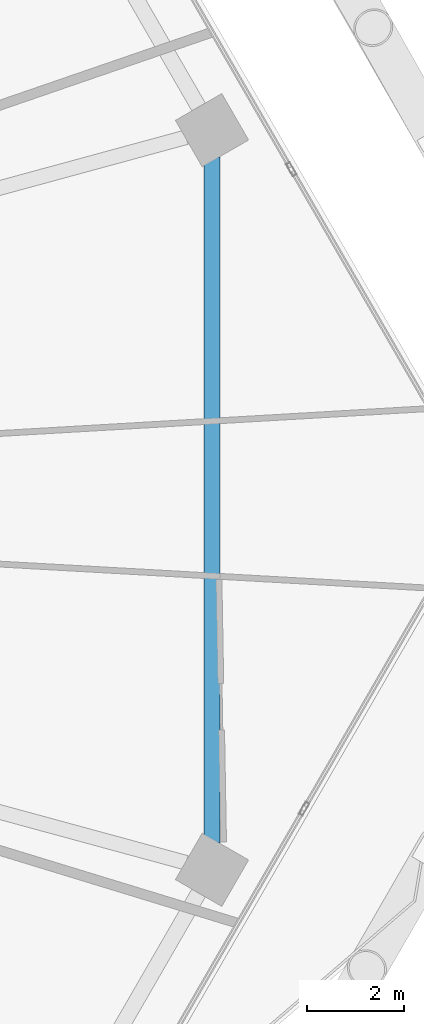
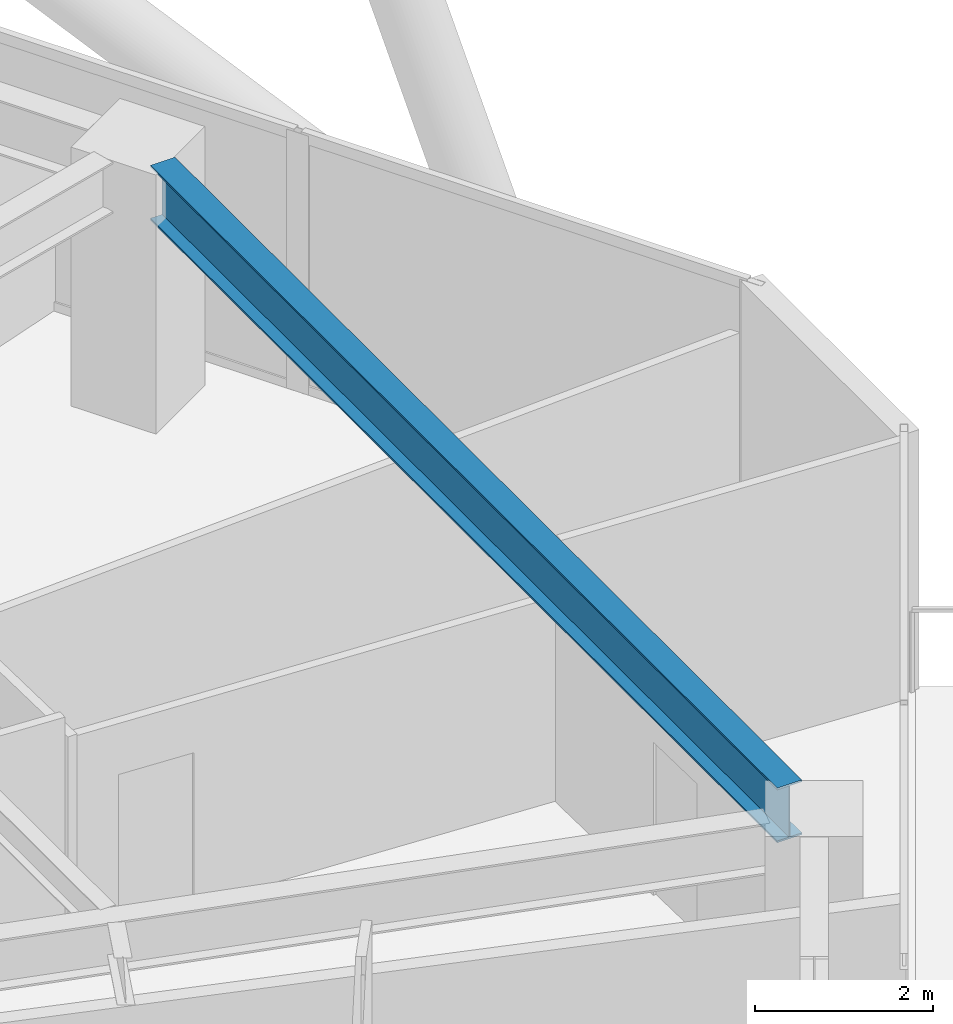
# One storey, part 14 of 36: 1 beam.
"""IFC4 building model written with IfcOpenShell, lengths in metres."""

from ifc_helpers import new_model, si_unit, direction, frame, origin, origin_2d, place, context, subcontext, project, spatial, i_section, extrude, material, material_profile, profile_set, type_object, element, save


model = new_model("IFC4")

# Units and contexts
model_context = context("Model", 3, precision=1e-05, world=origin(), true_north=direction((0.0, 1.0)))
body_context = subcontext(model_context, "Body", "Model", "MODEL_VIEW")
ifc_project = project(units=[si_unit("LENGTHUNIT", "METRE"), si_unit("AREAUNIT", "SQUARE_METRE"), si_unit("VOLUMEUNIT", "CUBIC_METRE"), si_unit("PLANEANGLEUNIT", "RADIAN"), si_unit("MASSUNIT", "GRAM", prefix="KILO")], contexts=[model_context])

# Site, building, storey
site_placement = place(None, origin())
site = spatial("IfcSite", under=ifc_project, at=site_placement, CompositionType="ELEMENT")
building_placement = place(site_placement, origin())
building = spatial("IfcBuilding", under=site, at=building_placement, Name="Zuhravey Tower", CompositionType="ELEMENT")
storey_placement = place(building_placement, frame((0.0, 0.0, 107.60009765625)))
storey = spatial("IfcBuildingStorey", under=building, at=storey_placement, Name="L26", CompositionType="ELEMENT", Elevation=107.60009765625)

# Beam
ifc_material = material(Name="Steel SM355", Category="steel")
ifc_material_profile = material_profile(ifc_material, i_section(OverallWidth=0.320068359375, OverallDepth=0.75, WebThickness=0.013916015625, FlangeThickness=0.02490234375, at=origin_2d()), Name="H-750x320x14x25")
ifc_profile_set = profile_set([ifc_material_profile], Name="Steel SM355")
beam_type = type_object("IfcBeamType", Name="Perimeter Ring Beam H750x320", PredefinedType="BEAM", material=ifc_profile_set)
beam_placement = place(storey_placement, frame((63.88916015625, 24.96142578125, 3.1748046875), z_axis=(0.0, 1.0, 0.0), x_axis=(-1.0, 0.0, 0.0)))
element("IfcBeam", 1, at=beam_placement, inside=storey, type_object=beam_type, Name="L26 PB1 BM-L26-PB-12", PredefinedType="BEAM", context=body_context, shape_type="SweptSolid", body=[
    extrude(i_section(OverallWidth=0.320068359375, OverallDepth=0.75, WebThickness=0.013916015625, FlangeThickness=0.02490234375, at=origin_2d()), origin(), (0.0, 0.0, 1.0), 14.0771484375),
])

save(model, "model.ifc")
